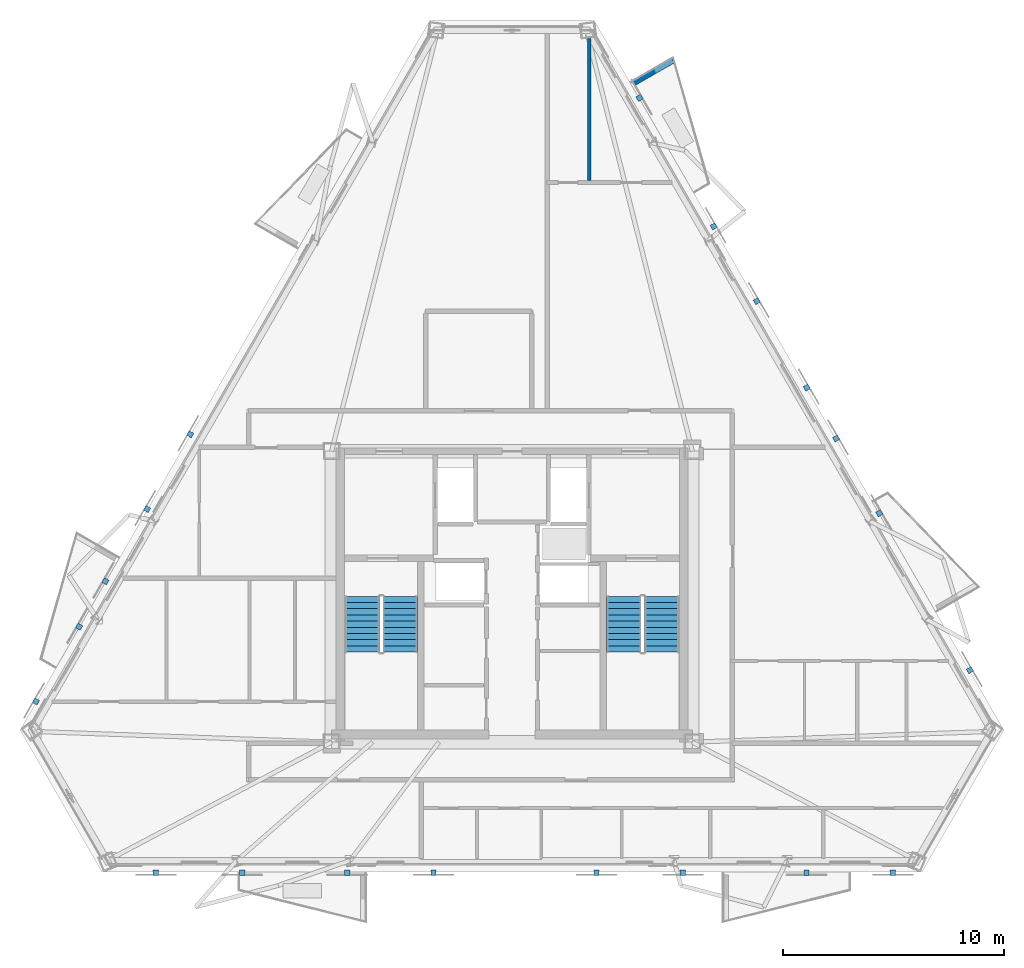
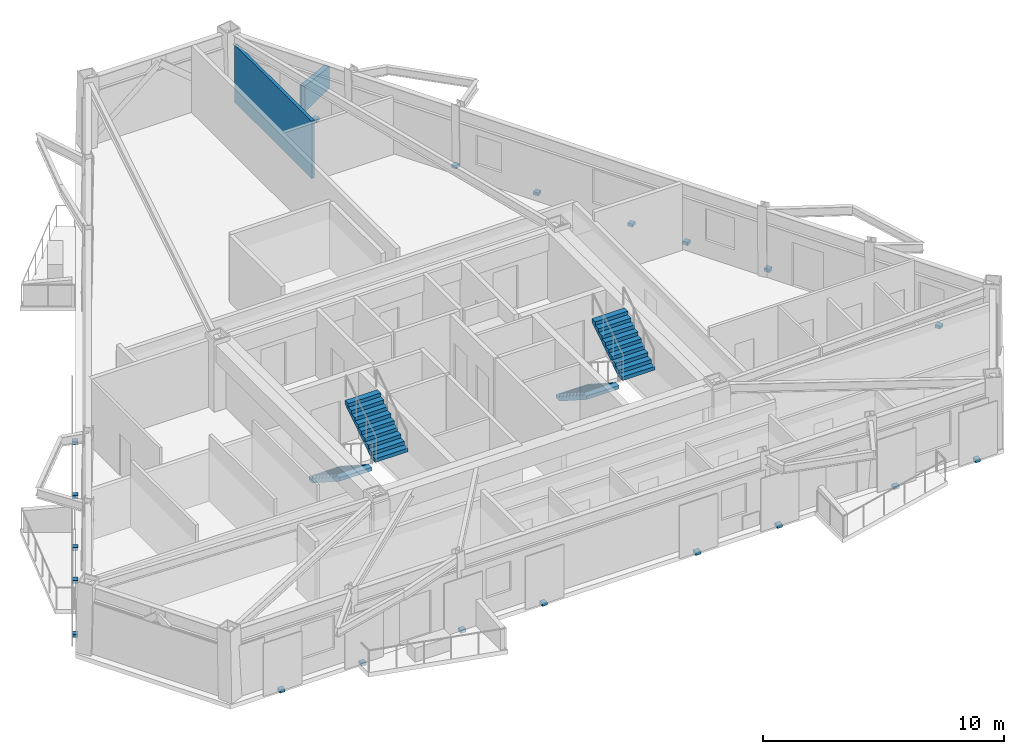
# One storey, part 6 of 11: 20 discrete accessories, 4 stair flights, 2 walls, 2 elements without a shape of their own.
"""IFC4 building model written with IfcOpenShell, lengths in metres."""

from ifc_helpers import new_model, si_unit, direction, frame, frame_2d, origin, origin_2d, place, context, subcontext, project, spatial, polyline, rectangle, outline, extrude, material, layer, layer_set, type_object, element, aggregate, save


model = new_model("IFC4")

# Units and contexts
model_context = context("Model", 3, precision=1e-05, world=origin(), true_north=direction((0.0, 1.0)))
body_context = subcontext(model_context, "Body", "Model", "MODEL_VIEW")
ifc_project = project(units=[si_unit("LENGTHUNIT", "METRE"), si_unit("AREAUNIT", "SQUARE_METRE"), si_unit("VOLUMEUNIT", "CUBIC_METRE"), si_unit("PLANEANGLEUNIT", "RADIAN"), si_unit("MASSUNIT", "GRAM", prefix="KILO")], contexts=[model_context])

# Site, building, storey
site_placement = place(None, origin())
site = spatial("IfcSite", under=ifc_project, at=site_placement, CompositionType="ELEMENT")
building_placement = place(site_placement, origin())
building = spatial("IfcBuilding", under=site, at=building_placement, Name="Oramaril Tower", CompositionType="ELEMENT")
storey_placement = place(building_placement, frame((0.0, 0.0, 212.699951171875)))
storey = spatial("IfcBuildingStorey", under=building, at=storey_placement, Name="L56", CompositionType="ELEMENT", Elevation=212.699951171875)

# Walls
ifc_material_1 = material(Name="Concrete C40/50", Category="concrete")
ifc_layer_1 = layer(ifc_material_1, 0.22998046875)
ifc_layer_set_1 = layer_set([ifc_layer_1], Name="WT-PRP23")
wall_type_1 = type_object("IfcWallType", Name="WT-PRP23", PredefinedType="PARAPET", material=ifc_layer_set_1)
wall_1_placement = place(storey_placement, frame((43.014892578125, 40.7744140625, 0.0), z_axis=(0.0, 0.0, 1.0), x_axis=(0.866012356593, 0.500022597718, 0.0)))
element("IfcWall", 1, at=wall_1_placement, inside=storey, type_object=wall_type_1, Name="L56 Trapezoidal Balcony Frame Cheek L56-BAL-NE2-R", PredefinedType="PARAPET", context=body_context, shape_type="SweptSolid", body=[
    extrude(outline(polyline([(0.0, 0.0), (2.0419921875, 0.0), (2.0419921875, 1.10009765625), (0.0, 1.320068359375), (0.0, 0.0)])), frame((0.0, 0.114990234375, 0.0), z_axis=(0.0, -1.0, 0.0), x_axis=(1.0, 0.0, 0.0)), (0.0, 0.0, 1.0), 0.22998046875),
])
ifc_material_2 = material(Name="Acoustic Gypsum Board Partition")
ifc_layer_2 = layer(ifc_material_2, 0.139892578125)
ifc_layer_set_2 = layer_set([ifc_layer_2], Name="WT-PT14")
wall_type_2 = type_object("IfcWallType", Name="WT-PT14", PredefinedType="PARTITIONING", material=ifc_layer_set_2)
wall_2_placement = place(storey_placement, frame((40.989990234375, 36.3740234375, 0.0), z_axis=(0.0, 0.0, 1.0), x_axis=(0.0, 1.0, 0.0)))
element("IfcWall", 2, at=wall_2_placement, inside=storey, type_object=wall_type_2, Name="L56 Interior Partition PT-14", PredefinedType="PARTITIONING", context=body_context, shape_type="SweptSolid", body=[
    extrude(rectangle(XDim=6.41357421875, YDim=0.139892578125, at=frame_2d((3.206787109375, 0.0))), origin(), (0.0, 0.0, 1.0), 2.9130859375),
])

# Stair, stair flights
ifc_material_3 = material(Name="Concrete C50/60", Category="concrete")
stair_type = type_object("IfcStairType", Name="STT-DG-3600", PredefinedType="HALF_TURN_STAIR", material=ifc_material_3)
stair_1_placement = place(storey_placement, origin())
stair_1 = element("IfcStair", 3, at=stair_1_placement, inside=storey, type_object=stair_type, Name="L56 Protected PFP Exit Stair ST-1", PredefinedType="HALF_TURN_STAIR")
ifc_material_4 = material(Name="Concrete C50/60", Category="concrete")
stair_flight_type = type_object("IfcStairFlightType", Name="SFT-DG-3600", PredefinedType="STRAIGHT", material=ifc_material_4)
stair_flight_1_placement = place(storey_placement, frame((30.72998046875, 17.590087890625, 0.0), z_axis=(0.0, 0.0, 1.0), x_axis=(0.0, -1.0, 0.0)))
stair_flight_1 = element("IfcStairFlight", 4, at=stair_flight_1_placement, type_object=stair_flight_type, Name="ST-1 flight 1", NumberOfRisers=10, NumberOfTreads=9, PredefinedType="STRAIGHT", RiserHeight=0.18, TreadLength=0.28, context=body_context, shape_type="SweptSolid", body=[
    extrude(outline(polyline([(0.0, 0.0), (0.0, 0.179931640625), (0.280029296875, 0.179931640625), (0.280029296875, 0.360107421875), (0.56005859375, 0.360107421875), (0.56005859375, 0.5400390625), (0.840087890625, 0.5400390625), (0.840087890625, 0.719970703125), (1.1201171875, 0.719970703125), (1.1201171875, 0.89990234375), (1.39990234375, 0.89990234375), (1.39990234375, 1.080078125), (1.679931640625, 1.080078125), (1.679931640625, 1.260009765625), (1.9599609375, 1.260009765625), (1.9599609375, 1.43994140625), (2.239990234375, 1.43994140625), (2.239990234375, 1.6201171875), (2.52001953125, 1.6201171875), (2.52001953125, 1.800048828125), (2.52001953125, 1.44189453125), (0.277099609375, 0.0), (0.0, 0.0)])), frame((0.0, 0.780029296875, 0.0), z_axis=(0.0, -1.0, 0.0), x_axis=(1.0, 0.0, 0.0)), (0.0, 0.0, 1.0), 1.56005859375),
])
stair_flight_2_placement = place(storey_placement, frame((32.43994140625, 15.070068359375, 1.800048828125), z_axis=(0.0, 0.0, 1.0), x_axis=(0.0, 1.0, 0.0)))
stair_flight_2 = element("IfcStairFlight", 5, at=stair_flight_2_placement, type_object=stair_flight_type, Name="ST-1 flight 2", NumberOfRisers=10, NumberOfTreads=9, PredefinedType="STRAIGHT", RiserHeight=0.18, TreadLength=0.28, context=body_context, shape_type="SweptSolid", body=[
    extrude(outline(polyline([(0.0, 0.0), (0.0, 0.179931640625), (0.280029296875, 0.179931640625), (0.280029296875, 0.360107421875), (0.56005859375, 0.360107421875), (0.56005859375, 0.5400390625), (0.840087890625, 0.5400390625), (0.840087890625, 0.719970703125), (1.1201171875, 0.719970703125), (1.1201171875, 0.89990234375), (1.39990234375, 0.89990234375), (1.39990234375, 1.080078125), (1.679931640625, 1.080078125), (1.679931640625, 1.260009765625), (1.9599609375, 1.260009765625), (1.9599609375, 1.43994140625), (2.239990234375, 1.43994140625), (2.239990234375, 1.6201171875), (2.52001953125, 1.6201171875), (2.52001953125, 1.800048828125), (2.52001953125, 1.44189453125), (0.277099609375, 0.0), (0.0, 0.0)])), frame((0.0, 0.780029296875, 0.0), z_axis=(0.0, -1.0, 0.0), x_axis=(1.0, 0.0, 0.0)), (0.0, 0.0, 1.0), 1.56005859375),
])
aggregate(stair_1, [stair_flight_1, stair_flight_2])

stair_2_placement = place(storey_placement, origin())
stair_2 = element("IfcStair", 6, at=stair_2_placement, inside=storey, type_object=stair_type, Name="L56 Protected PFP Exit Stair ST-2", PredefinedType="HALF_TURN_STAIR")
stair_flight_3_placement = place(storey_placement, frame((42.56005859375, 17.590087890625, 0.0), z_axis=(0.0, 0.0, 1.0), x_axis=(0.0, -1.0, 0.0)))
stair_flight_3 = element("IfcStairFlight", 7, at=stair_flight_3_placement, type_object=stair_flight_type, Name="ST-2 flight 1", NumberOfRisers=10, NumberOfTreads=9, PredefinedType="STRAIGHT", RiserHeight=0.18, TreadLength=0.28, context=body_context, shape_type="SweptSolid", body=[
    extrude(outline(polyline([(0.0, 0.0), (0.0, 0.179931640625), (0.280029296875, 0.179931640625), (0.280029296875, 0.360107421875), (0.56005859375, 0.360107421875), (0.56005859375, 0.5400390625), (0.840087890625, 0.5400390625), (0.840087890625, 0.719970703125), (1.1201171875, 0.719970703125), (1.1201171875, 0.89990234375), (1.39990234375, 0.89990234375), (1.39990234375, 1.080078125), (1.679931640625, 1.080078125), (1.679931640625, 1.260009765625), (1.9599609375, 1.260009765625), (1.9599609375, 1.43994140625), (2.239990234375, 1.43994140625), (2.239990234375, 1.6201171875), (2.52001953125, 1.6201171875), (2.52001953125, 1.800048828125), (2.52001953125, 1.44189453125), (0.277099609375, 0.0), (0.0, 0.0)])), frame((0.0, 0.780029296875, 0.0), z_axis=(0.0, -1.0, 0.0), x_axis=(1.0, 0.0, 0.0)), (0.0, 0.0, 1.0), 1.56005859375),
])
stair_flight_4_placement = place(storey_placement, frame((44.27001953125, 15.070068359375, 1.800048828125), z_axis=(0.0, 0.0, 1.0), x_axis=(0.0, 1.0, 0.0)))
stair_flight_4 = element("IfcStairFlight", 8, at=stair_flight_4_placement, type_object=stair_flight_type, Name="ST-2 flight 2", NumberOfRisers=10, NumberOfTreads=9, PredefinedType="STRAIGHT", RiserHeight=0.18, TreadLength=0.28, context=body_context, shape_type="SweptSolid", body=[
    extrude(outline(polyline([(0.0, 0.0), (0.0, 0.179931640625), (0.280029296875, 0.179931640625), (0.280029296875, 0.360107421875), (0.56005859375, 0.360107421875), (0.56005859375, 0.5400390625), (0.840087890625, 0.5400390625), (0.840087890625, 0.719970703125), (1.1201171875, 0.719970703125), (1.1201171875, 0.89990234375), (1.39990234375, 0.89990234375), (1.39990234375, 1.080078125), (1.679931640625, 1.080078125), (1.679931640625, 1.260009765625), (1.9599609375, 1.260009765625), (1.9599609375, 1.43994140625), (2.239990234375, 1.43994140625), (2.239990234375, 1.6201171875), (2.52001953125, 1.6201171875), (2.52001953125, 1.800048828125), (2.52001953125, 1.44189453125), (0.277099609375, 0.0), (0.0, 0.0)])), frame((0.0, 0.780029296875, 0.0), z_axis=(0.0, -1.0, 0.0), x_axis=(1.0, 0.0, 0.0)), (0.0, 0.0, 1.0), 1.56005859375),
])
aggregate(stair_2, [stair_flight_3, stair_flight_4])

# Discrete accessories
for number, where, z_axis, x_axis, name in (
    (9, (41.3193359375, 5.104736328125, -0.14013671875), (0.0, 0.0, 1.0), (1.0, 0.0, 0.0), "L56 Solar Screen Slab Bracket"),
    (10, (45.219482421875, 5.104736328125, -0.14013671875), (0.0, 0.0, 1.0), (1.0, 0.0, 0.0), "L56 Solar Screen Slab Bracket"),
    (11, (50.81201171875, 5.104736328125, -0.14013671875), (0.0, 0.0, 1.0), (1.0, 0.0, 0.0), "L56 Solar Screen Slab Bracket"),
    (12, (54.7119140625, 5.104736328125, -0.14013671875), (0.0, 0.0, 1.0), (1.0, 0.0, 0.0), "L56 Solar Screen Slab Bracket"),
    (13, (21.404541015625, 5.104736328125, -0.14013671875), (0.0, 0.0, 1.0), (1.0, 0.0, 0.0), "L56 Solar Screen Slab Bracket"),
    (14, (25.304443359375, 5.104736328125, -0.14013671875), (0.0, 0.0, 1.0), (1.0, 0.0, 0.0), "L56 Solar Screen Slab Bracket"),
    (15, (30.055908203125, 5.104736328125, -0.14013671875), (0.0, 0.0, 1.0), (1.0, 0.0, 0.0), "L56 Solar Screen Slab Bracket"),
    (16, (33.9560546875, 5.104736328125, -0.14013671875), (0.0, 0.0, 1.0), (1.0, 0.0, 0.0), "L56 Solar Screen Slab Bracket"),
    (17, (54.096435546875, 21.344482421875, -0.14013671875), (0.0, 0.0, 1.0), (-0.4999984885, 0.866026276448, 0.0), "L56 Solar Screen Slab Bracket"),
    (18, (52.146484375, 24.721923828125, -0.14013671875), (0.0, 0.0, 1.0), (-0.4999984885, 0.866026276448, 0.0), "L56 Solar Screen Slab Bracket"),
    (19, (58.19091796875, 14.252197265625, -0.14013671875), (0.0, 0.0, 1.0), (-0.4999984885, 0.866026276448, 0.0), "L56 Solar Screen Slab Bracket"),
    (20, (50.820556640625, 27.0185546875, -0.14013671875), (0.0, 0.0, 1.0), (-0.4999984885, 0.866026276448, 0.0), "L56 Solar Screen Slab Bracket"),
    (21, (48.56298828125, 30.928466796875, -0.14013671875), (0.0, 0.0, 1.0), (-0.4999984885, 0.866026276448, 0.0), "L56 Solar Screen Slab Bracket"),
    (22, (46.613037109375, 34.305908203125, -0.14013671875), (0.0, 0.0, 1.0), (-0.4999984885, 0.866026276448, 0.0), "L56 Solar Screen Slab Bracket"),
    (23, (43.26171875, 40.111083984375, -0.14013671875), (0.0, 0.0, 1.0), (-0.4999984885, 0.866026276448, 0.0), "L56 Solar Screen Slab Bracket"),
    (24, (17.94140625, 16.213623046875, -0.14013671875), (0.0, 0.0, 1.0), (-0.4999984885, -0.866026276448, 0.0), "L56 Solar Screen Slab Bracket"),
    (25, (15.9912109375, 12.836181640625, -0.14013671875), (0.0, 0.0, 1.0), (-0.4999984885, -0.866026276448, 0.0), "L56 Solar Screen Slab Bracket"),
    (26, (22.9619140625, 24.909423828125, -0.14013671875), (0.0, 0.0, 1.0), (-0.4999984885, -0.866026276448, 0.0), "L56 Solar Screen Slab Bracket"),
    (27, (21.01171875, 21.531982421875, -0.14013671875), (0.0, 0.0, 1.0), (-0.4999984885, -0.866026276448, 0.0), "L56 Solar Screen Slab Bracket"),
    (28, (19.128173828125, 18.269287109375, -0.14013671875), (0.0, 0.0, 1.0), (-0.4999984885, -0.866026276448, 0.0), "L56 Solar Screen Slab Bracket"),
):
    element("IfcDiscreteAccessory", number, at=place(storey_placement, frame(where, z_axis=z_axis, x_axis=x_axis)), inside=storey, Name=name, PredefinedType="BRACKET", context=body_context, shape_type="SweptSolid", body=[
        extrude(rectangle(XDim=0.239990234375, YDim=0.239990234375, at=origin_2d()), origin(), (0.0, 0.0, 1.0), 0.159912109375),
    ])

save(model, "model.ifc")
